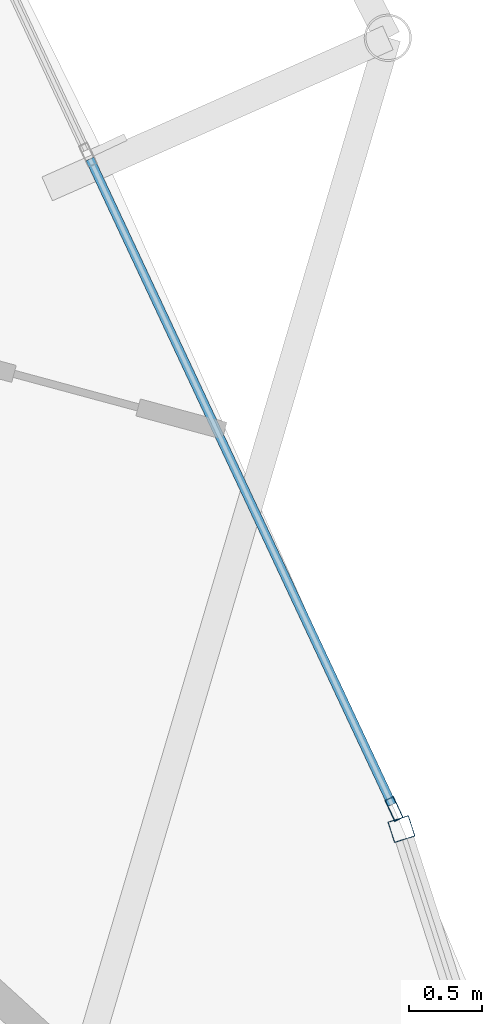
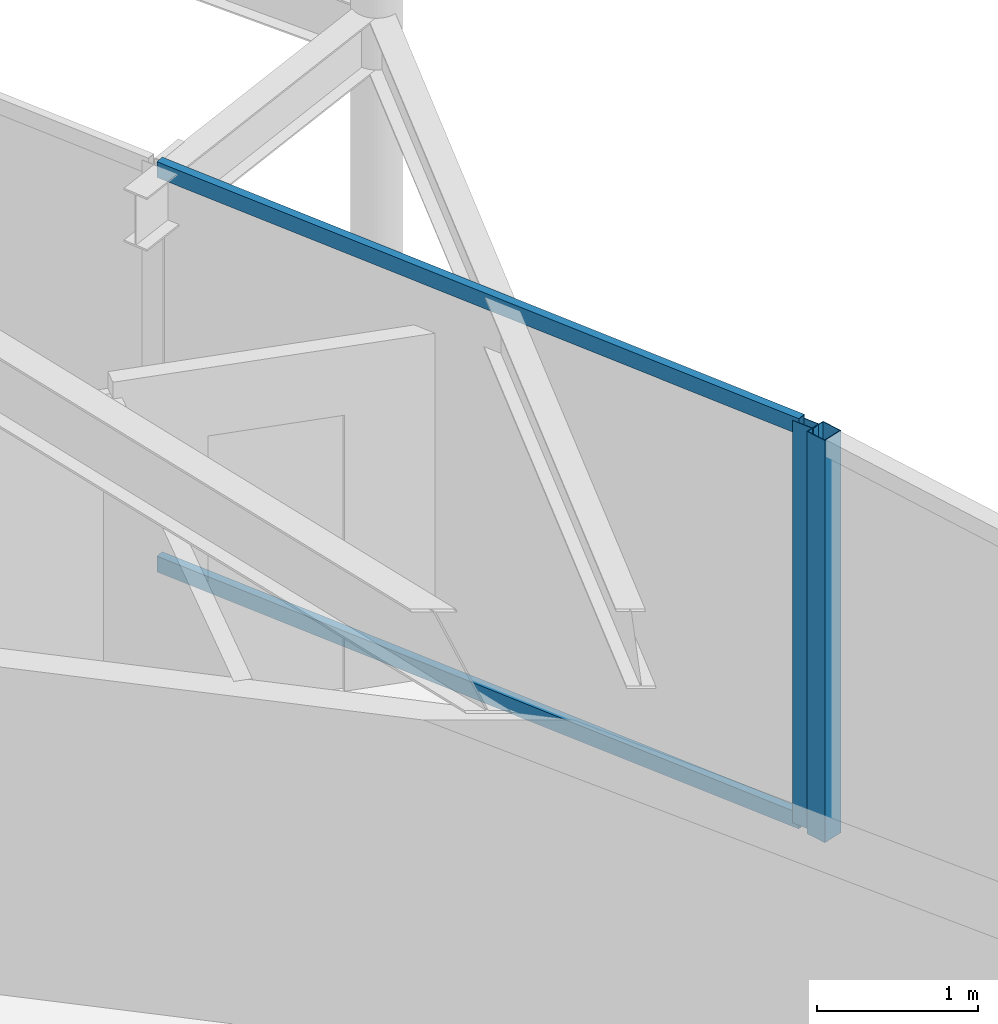
# One storey, part 17 of 30: 4 members, 2 elements without a shape of their own.
"""IFC4 building model written with IfcOpenShell, lengths in metres."""

from ifc_helpers import new_model, si_unit, direction, frame, origin, origin_2d, place, context, subcontext, project, spatial, hollow_rectangle, extrude, material, layer, layer_set, material_profile, profile_set, type_object, element, aggregate, save


model = new_model("IFC4")

# Units and contexts
model_context = context("Model", 3, precision=1e-05, world=origin(), true_north=direction((0.0, 1.0)))
body_context = subcontext(model_context, "Body", "Model", "MODEL_VIEW")
ifc_project = project(units=[si_unit("LENGTHUNIT", "METRE"), si_unit("AREAUNIT", "SQUARE_METRE"), si_unit("VOLUMEUNIT", "CUBIC_METRE"), si_unit("PLANEANGLEUNIT", "RADIAN"), si_unit("MASSUNIT", "GRAM", prefix="KILO")], contexts=[model_context])

# Site, building, storey
site_placement = place(None, origin())
site = spatial("IfcSite", under=ifc_project, at=site_placement, CompositionType="ELEMENT")
building_placement = place(site_placement, origin())
building = spatial("IfcBuilding", under=site, at=building_placement, Name="Orvanel Arch Residences", CompositionType="ELEMENT")
storey_placement = place(building_placement, frame((0.0, 0.0, 226.10009765625)))
storey = spatial("IfcBuildingStorey", under=building, at=storey_placement, Name="L64", CompositionType="ELEMENT", Elevation=226.10009765625)

# Curtain wall, member
ifc_material = material(Name="Bronze-anodised aluminium AA6063-T6", Category="aluminium")
ifc_layer_1 = layer(ifc_material, 0.18994140625)
ifc_layer_set_1 = layer_set([ifc_layer_1], Name="Bronze-anodised aluminium AA6063-T6")
curtain_wall_type_1 = type_object("IfcCurtainWallType", Name="CW5-CRN-SYS", PredefinedType="NOTDEFINED", material=ifc_layer_set_1)
curtain_wall_1_placement = place(storey_placement, origin())
curtain_wall_1 = element("IfcCurtainWall", 1, at=curtain_wall_1_placement, inside=storey, type_object=curtain_wall_type_1, Name="L64 CW5-CRN-SYS Unitised Curtain Wall", PredefinedType="NOTDEFINED")
ifc_material_profile_1 = material_profile(ifc_material, hollow_rectangle(XDim=0.14990234375, YDim=0.14990234375, WallThickness=0.0048828125, at=origin_2d()), Name="ALU150x150x5")
ifc_profile_set_1 = profile_set([ifc_material_profile_1], Name="Bronze-anodised aluminium AA6063-T6")
member_type_1 = type_object("IfcMemberType", Name="MUL-150x150", PredefinedType="MULLION", material=ifc_profile_set_1)
member_1_placement = place(storey_placement, frame((53.86083984375, 15.169677734375, 0.0), z_axis=(0.0, 0.0, 1.0), x_axis=(-0.952168522204, -0.305573404151, 0.0)))
member_1 = element("IfcMember", 2, at=member_1_placement, type_object=member_type_1, Name="CW-S5 mullion 2", PredefinedType="MULLION", context=body_context, shape_type="SweptSolid", body=[
    extrude(hollow_rectangle(XDim=0.14990234375, YDim=0.14990234375, WallThickness=0.0048828125, at=origin_2d()), origin(), (0.0, 0.0, 1.0), 3.059814453125),
])
aggregate(curtain_wall_1, [member_1])

# Curtain wall, members
ifc_layer_2 = layer(ifc_material, 0.175048828125)
ifc_layer_set_2 = layer_set([ifc_layer_2], Name="Bronze-anodised aluminium AA6063-T6")
curtain_wall_type_2 = type_object("IfcCurtainWallType", Name="CW4-HI-SYS", PredefinedType="NOTDEFINED", material=ifc_layer_set_2)
curtain_wall_2_placement = place(storey_placement, origin())
curtain_wall_2 = element("IfcCurtainWall", 3, at=curtain_wall_2_placement, inside=storey, type_object=curtain_wall_type_2, Name="L64 CW4-HI-SYS Unitised Curtain Wall", PredefinedType="NOTDEFINED")
ifc_material_profile_2 = material_profile(ifc_material, hollow_rectangle(XDim=0.06494140625, YDim=0.159912109375, WallThickness=0.00390625, at=origin_2d()), Name="ALU160x65x4")
ifc_profile_set_2 = profile_set([ifc_material_profile_2], Name="Bronze-anodised aluminium AA6063-T6")
member_type_2 = type_object("IfcMemberType", Name="MUL-160x65", PredefinedType="MULLION", material=ifc_profile_set_2)
member_2_placement = place(storey_placement, frame((53.810302734375, 15.307373046875, 0.0), z_axis=(0.0, 0.0, 1.0), x_axis=(-0.905705004304, -0.423908533978, 0.0)))
member_2 = element("IfcMember", 4, at=member_2_placement, type_object=member_type_2, Name="CW-S4 mullion 1", PredefinedType="MULLION", context=body_context, shape_type="SweptSolid", body=[
    extrude(hollow_rectangle(XDim=0.06494140625, YDim=0.159912109375, WallThickness=0.00390625, at=origin_2d()), origin(), (0.0, 0.0, 1.0), 3.059814453125),
])
ifc_material_profile_3 = material_profile(ifc_material, hollow_rectangle(XDim=0.06005859375, YDim=0.1201171875, WallThickness=0.00341796875, at=origin_2d()), Name="ALU120x60x3.5")
ifc_profile_set_3 = profile_set([ifc_material_profile_3], Name="Bronze-anodised aluminium AA6063-T6")
member_type_3 = type_object("IfcMemberType", Name="TRN-120x60", PredefinedType="USERDEFINED", material=ifc_profile_set_3)
member_3_placement = place(storey_placement, frame((53.79638671875, 15.3369140625, 0.02978515625), z_axis=(-0.423899048381, 0.905709443907, 0.0), x_axis=(-0.905709443907, -0.423899048381, 0.0)))
member_3 = element("IfcMember", 5, at=member_3_placement, type_object=member_type_3, Name="CW-S4 transom 1.1", ObjectType="TRANSOM", PredefinedType="USERDEFINED", context=body_context, shape_type="SweptSolid", body=[
    extrude(hollow_rectangle(XDim=0.06005859375, YDim=0.1201171875, WallThickness=0.00341796875, at=origin_2d()), origin(), (0.0, 0.0, 1.0), 4.877685546875),
])
member_4_placement = place(storey_placement, frame((53.79638671875, 15.3369140625, 3.02978515625), z_axis=(-0.423899048381, 0.905709443907, 0.0), x_axis=(-0.905709443907, -0.423899048381, 0.0)))
member_4 = element("IfcMember", 6, at=member_4_placement, type_object=member_type_3, Name="CW-S4 transom 1.2", ObjectType="TRANSOM", PredefinedType="USERDEFINED", context=body_context, shape_type="SweptSolid", body=[
    extrude(hollow_rectangle(XDim=0.06005859375, YDim=0.1201171875, WallThickness=0.00341796875, at=origin_2d()), origin(), (0.0, 0.0, 1.0), 4.877685546875),
])
aggregate(curtain_wall_2, [member_2, member_3, member_4])

save(model, "model.ifc")
